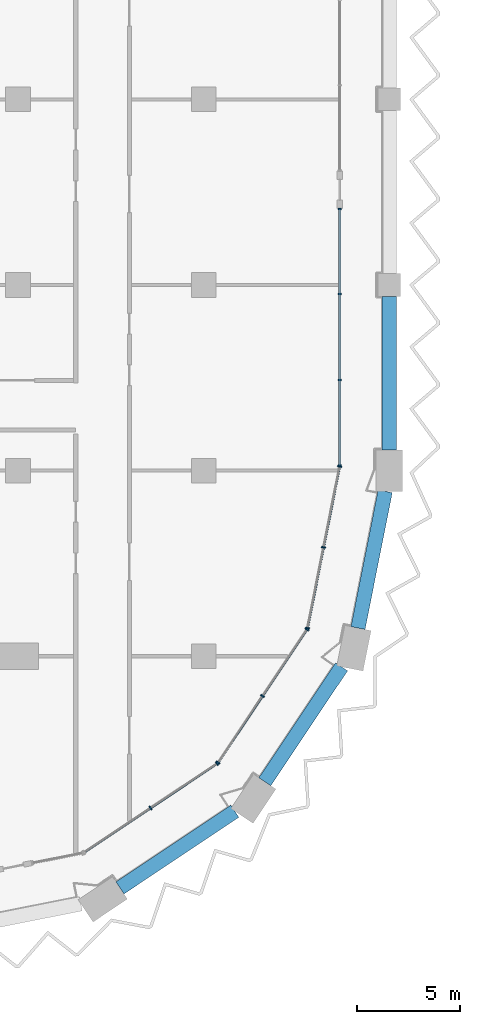
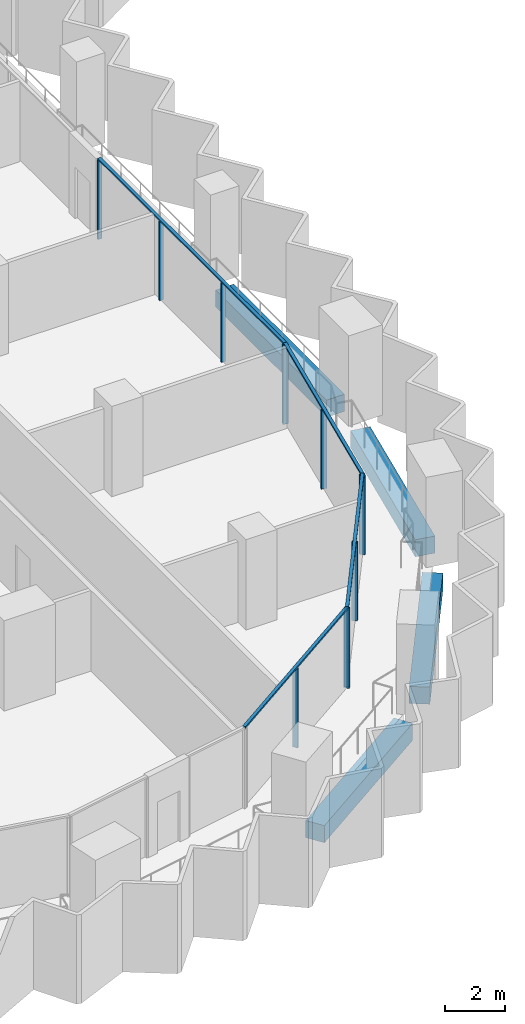
# One storey, part 3 of 22: 16 members, 4 beams, 4 elements without a shape of their own.
"""IFC4 building model written with IfcOpenShell, lengths in metres."""

from ifc_helpers import new_model, si_unit, direction, frame, origin, origin_2d, place, context, subcontext, project, spatial, rectangle, extrude, material, material_profile, profile_set, type_object, element, aggregate, save


model = new_model("IFC4")

# Units and contexts
model_context = context("Model", 3, precision=1e-05, world=origin(), true_north=direction((0.0, 1.0)))
body_context = subcontext(model_context, "Body", "Model", "MODEL_VIEW")
ifc_project = project(units=[si_unit("LENGTHUNIT", "METRE"), si_unit("AREAUNIT", "SQUARE_METRE"), si_unit("VOLUMEUNIT", "CUBIC_METRE"), si_unit("PLANEANGLEUNIT", "RADIAN"), si_unit("MASSUNIT", "GRAM", prefix="KILO")], contexts=[model_context])

# Site, building, storey
site_placement = place(None, origin())
site = spatial("IfcSite", under=ifc_project, at=site_placement, CompositionType="ELEMENT")
building_placement = place(site_placement, origin())
building = spatial("IfcBuilding", under=site, at=building_placement, Name="Hunhe Ridgeline Campus", CompositionType="ELEMENT")
storey_placement = place(building_placement, frame((0.0, 0.0, 156.0)))
storey = spatial("IfcBuildingStorey", under=building, at=storey_placement, Name="L39", CompositionType="ELEMENT", Elevation=156.0)

# Curtain wall, members
ifc_material_1 = material(Name="Aluminium 6063", Category="aluminium")
curtain_wall_type_1 = type_object("IfcCurtainWallType", Name="Curtain wall CW-1", PredefinedType="NOTDEFINED", material=ifc_material_1)
curtain_wall_1_placement = place(storey_placement, origin())
curtain_wall_1 = element("IfcCurtainWall", 1, at=curtain_wall_1_placement, inside=storey, type_object=curtain_wall_type_1, Name="Curtain wall 11", PredefinedType="NOTDEFINED")
ifc_material_profile_1 = material_profile(ifc_material_1, rectangle(XDim=0.159912109375, YDim=0.06005859375, at=origin_2d()))
ifc_profile_set_1 = profile_set([ifc_material_profile_1], Name="Aluminium 6063")
member_type_1 = type_object("IfcMemberType", Name="CW-1 aluminium mullion", PredefinedType="MULLION", material=ifc_profile_set_1)
member_1_placement = place(storey_placement, frame((42.59912109375, 27.266357421875, 0.0), z_axis=(0.0, 0.0, 1.0), x_axis=(-0.99999999999, 4.406345e-06, 0.0)))
member_1 = element("IfcMember", 2, at=member_1_placement, type_object=member_type_1, Name="CW-1 mullion 1", PredefinedType="MULLION", context=body_context, shape_type="SweptSolid", body=[
    extrude(rectangle(XDim=0.159912109375, YDim=0.06005859375, at=origin_2d()), origin(), (0.0, 0.0, 1.0), 3.239990234375),
])
member_2_placement = place(storey_placement, frame((42.59912109375, 31.397216796875, 0.0), z_axis=(0.0, 0.0, 1.0), x_axis=(-0.99999999999, 4.406345e-06, 0.0)))
member_2 = element("IfcMember", 3, at=member_2_placement, type_object=member_type_1, Name="CW-1 mullion 2", PredefinedType="MULLION", context=body_context, shape_type="SweptSolid", body=[
    extrude(rectangle(XDim=0.159912109375, YDim=0.06005859375, at=origin_2d()), origin(), (0.0, 0.0, 1.0), 3.239990234375),
])
member_3_placement = place(storey_placement, frame((42.59912109375, 35.557861328125, 0.0), z_axis=(0.0, 0.0, 1.0), x_axis=(-0.99999999999, 4.406345e-06, 0.0)))
member_3 = element("IfcMember", 4, at=member_3_placement, type_object=member_type_1, Name="CW-1 mullion 3", PredefinedType="MULLION", context=body_context, shape_type="SweptSolid", body=[
    extrude(rectangle(XDim=0.159912109375, YDim=0.06005859375, at=origin_2d()), origin(), (0.0, 0.0, 1.0), 3.239990234375),
])
member_4_placement = place(storey_placement, frame((42.59912109375, 39.6884765625, 0.0), z_axis=(0.0, 0.0, 1.0), x_axis=(-0.99999999999, 4.406345e-06, 0.0)))
member_4 = element("IfcMember", 5, at=member_4_placement, type_object=member_type_1, Name="CW-1 mullion 4", PredefinedType="MULLION", context=body_context, shape_type="SweptSolid", body=[
    extrude(rectangle(XDim=0.159912109375, YDim=0.06005859375, at=origin_2d()), origin(), (0.0, 0.0, 1.0), 3.239990234375),
])
ifc_material_profile_2 = material_profile(ifc_material_1, rectangle(XDim=0.1201171875, YDim=0.06005859375, at=origin_2d()))
ifc_profile_set_2 = profile_set([ifc_material_profile_2], Name="Aluminium 6063")
member_type_2 = type_object("IfcMemberType", Name="CW-1 aluminium transom", PredefinedType="USERDEFINED", material=ifc_profile_set_2)
member_5_placement = place(storey_placement, frame((42.59912109375, 27.236572265625, 3.27001953125), z_axis=(0.0, 1.0, 0.0), x_axis=(-1.0, 0.0, 0.0)))
member_5 = element("IfcMember", 6, at=member_5_placement, type_object=member_type_2, Name="CW-1 transom 1", ObjectType="TRANSOM", PredefinedType="USERDEFINED", context=body_context, shape_type="SweptSolid", body=[
    extrude(rectangle(XDim=0.1201171875, YDim=0.06005859375, at=origin_2d()), origin(), (0.0, 0.0, 1.0), 12.48193359375),
])
aggregate(curtain_wall_1, [member_5, member_1, member_2, member_3, member_4])

curtain_wall_type_2 = type_object("IfcCurtainWallType", Name="Curtain wall CW-5", PredefinedType="NOTDEFINED", material=ifc_material_1)
curtain_wall_2_placement = place(storey_placement, origin())
curtain_wall_2 = element("IfcCurtainWall", 7, at=curtain_wall_2_placement, inside=storey, type_object=curtain_wall_type_2, Name="Curtain wall 08", PredefinedType="NOTDEFINED")
ifc_material_profile_3 = material_profile(ifc_material_1, rectangle(XDim=0.199951171875, YDim=0.070068359375, at=origin_2d()))
ifc_profile_set_3 = profile_set([ifc_material_profile_3], Name="Aluminium 6063")
member_type_3 = type_object("IfcMemberType", Name="CW-5 aluminium mullion", PredefinedType="MULLION", material=ifc_profile_set_3)
member_6_placement = place(storey_placement, frame((33.42626953125, 10.647705078125, 0.0), z_axis=(0.0, 0.0, 1.0), x_axis=(-0.555570274596, 0.831469584522, 0.0)))
member_6 = element("IfcMember", 8, at=member_6_placement, type_object=member_type_3, Name="CW-5 mullion 2", PredefinedType="MULLION", context=body_context, shape_type="SweptSolid", body=[
    extrude(rectangle(XDim=0.199951171875, YDim=0.070068359375, at=origin_2d()), origin(), (0.0, 0.0, 1.0), 3.22998046875),
])
member_7_placement = place(storey_placement, frame((36.649658203125, 12.8017578125, 0.0), z_axis=(0.0, 0.0, 1.0), x_axis=(-0.555570274596, 0.831469584522, 0.0)))
member_7 = element("IfcMember", 9, at=member_7_placement, type_object=member_type_3, Name="CW-5 mullion 3", PredefinedType="MULLION", context=body_context, shape_type="SweptSolid", body=[
    extrude(rectangle(XDim=0.199951171875, YDim=0.070068359375, at=origin_2d()), origin(), (0.0, 0.0, 1.0), 3.22998046875),
])

curtain_wall_3_placement = place(storey_placement, origin())
curtain_wall_3 = element("IfcCurtainWall", 10, at=curtain_wall_3_placement, inside=storey, type_object=curtain_wall_type_2, Name="Curtain wall 09", PredefinedType="NOTDEFINED")
member_8_placement = place(storey_placement, frame((36.6982421875, 12.850341796875, 0.0), z_axis=(0.0, 0.0, 1.0), x_axis=(-0.831469584522, 0.555570274596, 0.0)))
member_8 = element("IfcMember", 11, at=member_8_placement, type_object=member_type_3, Name="CW-5 mullion 1", PredefinedType="MULLION", context=body_context, shape_type="SweptSolid", body=[
    extrude(rectangle(XDim=0.199951171875, YDim=0.070068359375, at=origin_2d()), origin(), (0.0, 0.0, 1.0), 3.22998046875),
])
member_9_placement = place(storey_placement, frame((38.852294921875, 16.07373046875, 0.0), z_axis=(0.0, 0.0, 1.0), x_axis=(-0.831469584522, 0.555570274596, 0.0)))
member_9 = element("IfcMember", 12, at=member_9_placement, type_object=member_type_3, Name="CW-5 mullion 2", PredefinedType="MULLION", context=body_context, shape_type="SweptSolid", body=[
    extrude(rectangle(XDim=0.199951171875, YDim=0.070068359375, at=origin_2d()), origin(), (0.0, 0.0, 1.0), 3.22998046875),
])
member_10_placement = place(storey_placement, frame((41.006103515625, 19.29736328125, 0.0), z_axis=(0.0, 0.0, 1.0), x_axis=(-0.831469584522, 0.555570274596, 0.0)))
member_10 = element("IfcMember", 13, at=member_10_placement, type_object=member_type_3, Name="CW-5 mullion 3", PredefinedType="MULLION", context=body_context, shape_type="SweptSolid", body=[
    extrude(rectangle(XDim=0.199951171875, YDim=0.070068359375, at=origin_2d()), origin(), (0.0, 0.0, 1.0), 3.22998046875),
])

curtain_wall_4_placement = place(storey_placement, origin())
curtain_wall_4 = element("IfcCurtainWall", 14, at=curtain_wall_4_placement, inside=storey, type_object=curtain_wall_type_2, Name="Curtain wall 10", PredefinedType="NOTDEFINED")
member_11_placement = place(storey_placement, frame((41.032470703125, 19.36083984375, 0.0), z_axis=(0.0, 0.0, 1.0), x_axis=(-0.980785284939, 0.195090299215, 0.0)))
member_11 = element("IfcMember", 15, at=member_11_placement, type_object=member_type_3, Name="CW-5 mullion 1", PredefinedType="MULLION", context=body_context, shape_type="SweptSolid", body=[
    extrude(rectangle(XDim=0.199951171875, YDim=0.070068359375, at=origin_2d()), origin(), (0.0, 0.0, 1.0), 3.22998046875),
])
member_12_placement = place(storey_placement, frame((41.812255859375, 23.281494140625, 0.0), z_axis=(0.0, 0.0, 1.0), x_axis=(-0.980785284939, 0.195090299215, 0.0)))
member_12 = element("IfcMember", 16, at=member_12_placement, type_object=member_type_3, Name="CW-5 mullion 2", PredefinedType="MULLION", context=body_context, shape_type="SweptSolid", body=[
    extrude(rectangle(XDim=0.199951171875, YDim=0.070068359375, at=origin_2d()), origin(), (0.0, 0.0, 1.0), 3.22998046875),
])
member_13_placement = place(storey_placement, frame((42.59228515625, 27.2021484375, 0.0), z_axis=(0.0, 0.0, 1.0), x_axis=(-0.980785284939, 0.195090299215, 0.0)))
member_13 = element("IfcMember", 17, at=member_13_placement, type_object=member_type_3, Name="CW-5 mullion 3", PredefinedType="MULLION", context=body_context, shape_type="SweptSolid", body=[
    extrude(rectangle(XDim=0.199951171875, YDim=0.070068359375, at=origin_2d()), origin(), (0.0, 0.0, 1.0), 3.22998046875),
])

# Member
ifc_material_profile_4 = material_profile(ifc_material_1, rectangle(XDim=0.1201171875, YDim=0.070068359375, at=origin_2d()))
ifc_profile_set_4 = profile_set([ifc_material_profile_4], Name="Aluminium 6063")
member_type_4 = type_object("IfcMemberType", Name="CW-5 aluminium transom", PredefinedType="USERDEFINED", material=ifc_profile_set_4)
member_14_placement = place(storey_placement, frame((30.173583984375, 8.474365234375, 3.264892578125), z_axis=(0.831473763475, 0.5555640203, 0.0), x_axis=(-0.5555640203, 0.831473763475, 0.0)))
member_14 = element("IfcMember", 18, at=member_14_placement, type_object=member_type_4, Name="CW-5 transom 1", ObjectType="TRANSOM", PredefinedType="USERDEFINED", context=body_context, shape_type="SweptSolid", body=[
    extrude(rectangle(XDim=0.1201171875, YDim=0.070068359375, at=origin_2d()), origin(), (0.0, 0.0, 1.0), 7.823974609375),
])

aggregate(curtain_wall_2, [member_14, member_6, member_7])

member_15_placement = place(storey_placement, frame((36.678955078125, 12.821044921875, 3.264892578125), z_axis=(0.5555640203, 0.831473763475, 0.0), x_axis=(-0.831473763475, 0.5555640203, 0.0)))
member_15 = element("IfcMember", 19, at=member_15_placement, type_object=member_type_4, Name="CW-5 transom 1", ObjectType="TRANSOM", PredefinedType="USERDEFINED", context=body_context, shape_type="SweptSolid", body=[
    extrude(rectangle(XDim=0.1201171875, YDim=0.070068359375, at=origin_2d()), origin(), (0.0, 0.0, 1.0), 7.823974609375),
])

aggregate(curtain_wall_3, [member_15, member_8, member_9, member_10])

member_16_placement = place(storey_placement, frame((41.025634765625, 19.326416015625, 3.264892578125), z_axis=(0.195097290093, 0.980783894341, 0.0), x_axis=(-0.980783894341, 0.195097290093, 0.0)))
member_16 = element("IfcMember", 20, at=member_16_placement, type_object=member_type_4, Name="CW-5 transom 1", ObjectType="TRANSOM", PredefinedType="USERDEFINED", context=body_context, shape_type="SweptSolid", body=[
    extrude(rectangle(XDim=0.1201171875, YDim=0.070068359375, at=origin_2d()), origin(), (0.0, 0.0, 1.0), 8.065185546875),
])

aggregate(curtain_wall_4, [member_16, member_11, member_12, member_13])

# Beams
ifc_material_2 = material(Name="Concrete C60", Category="concrete")
ifc_material_profile_5 = material_profile(ifc_material_2, rectangle(XDim=0.699951171875, YDim=0.699951171875, at=origin_2d()))
ifc_profile_set_5 = profile_set([ifc_material_profile_5], Name="Concrete C60")
beam_type = type_object("IfcBeamType", Name="RC spandrel beam 700x700 Concrete C60", PredefinedType="SPANDREL", material=ifc_profile_set_5)
for number, where, z_axis, x_axis, name in (
    (21, (31.94189453125, 6.768310546875, -0.60009765625), (0.831472141711, 0.555566447474, 0.0), (-0.555566447474, 0.831472141711, 0.0), "Spandrel beam B2-6 L39"),
    (22, (38.965576171875, 11.921630859375, -0.60009765625), (0.555566447474, 0.831472141711, 0.0), (-0.831472141711, 0.555566447474, 0.0), "Spandrel beam B2-7 L39"),
):
    element("IfcBeam", number, at=place(storey_placement, frame(where, z_axis=z_axis, x_axis=x_axis)), inside=storey, type_object=beam_type, Name=name, PredefinedType="SPANDREL", context=body_context, shape_type="SweptSolid", body=[
        extrude(rectangle(XDim=0.699951171875, YDim=0.699951171875, at=origin_2d()), origin(), (0.0, 0.0, 1.0), 6.69677734375),
    ])
beam_1_placement = place(storey_placement, frame((43.482421875, 19.370361328125, -0.60009765625), z_axis=(0.195074154586, 0.980788496166, 0.0), x_axis=(-0.980788496166, 0.195074154586, 0.0)))
element("IfcBeam", 23, at=beam_1_placement, inside=storey, type_object=beam_type, Name="Spandrel beam B2-8 L39", PredefinedType="SPANDREL", context=body_context, shape_type="SweptSolid", body=[
    extrude(rectangle(XDim=0.699951171875, YDim=0.699951171875, at=origin_2d()), origin(), (0.0, 0.0, 1.0), 6.759521484375),
])
beam_2_placement = place(storey_placement, frame((45.0, 28.0, -0.60009765625), z_axis=(0.0, 1.0, 0.0), x_axis=(-1.0, 0.0, 0.0)))
element("IfcBeam", 24, at=beam_2_placement, inside=storey, type_object=beam_type, Name="Spandrel beam B2-9 L39", PredefinedType="SPANDREL", context=body_context, shape_type="SweptSolid", body=[
    extrude(rectangle(XDim=0.699951171875, YDim=0.699951171875, at=origin_2d()), origin(), (0.0, 0.0, 1.0), 7.449951171875),
])

save(model, "model.ifc")
